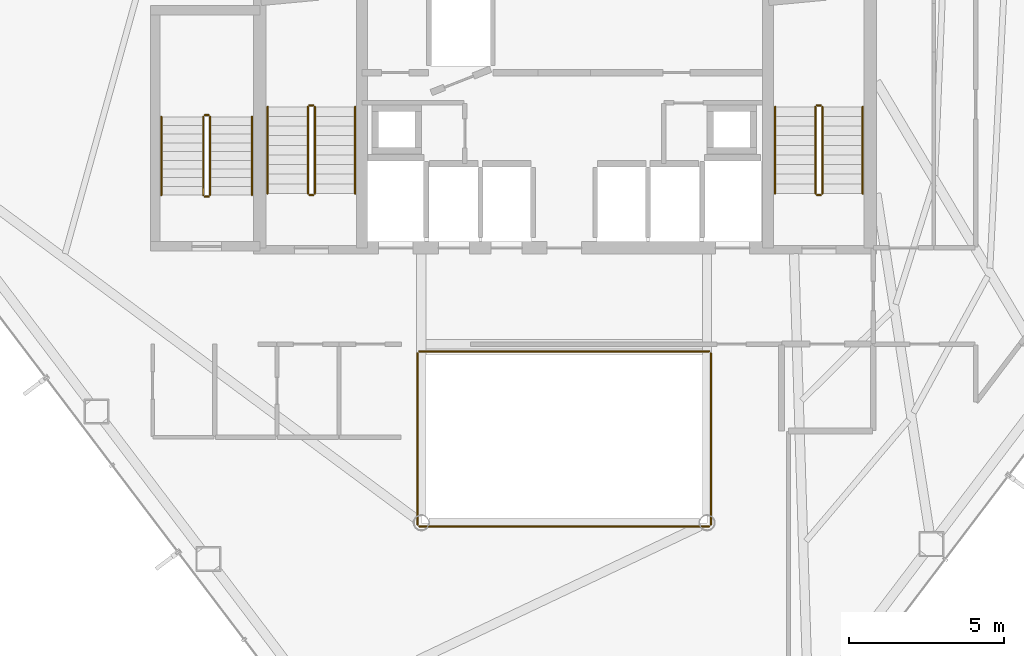
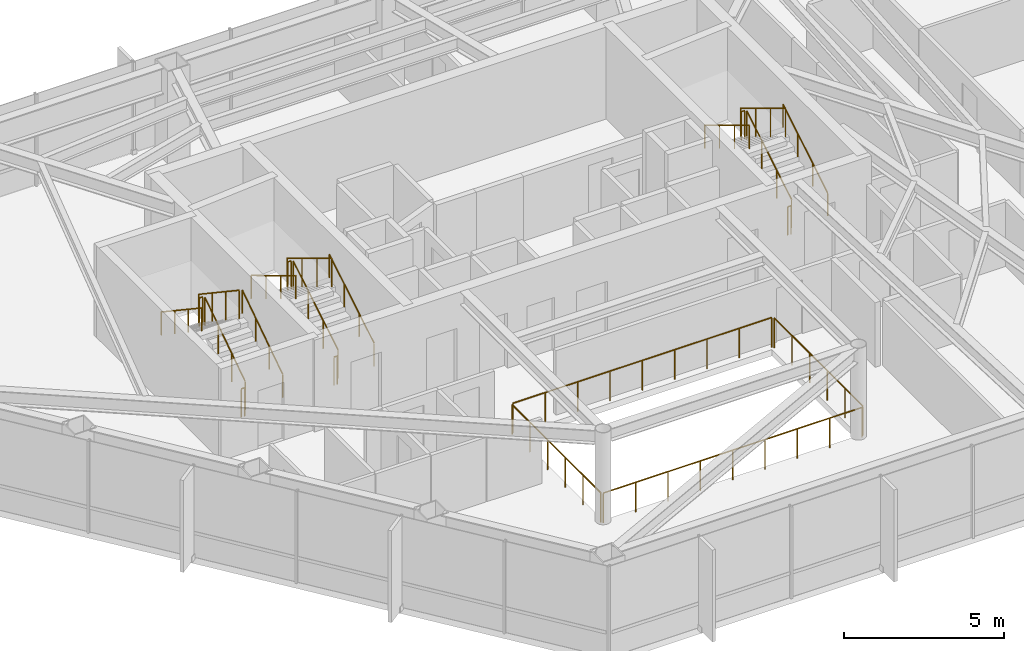
# One storey, part 28 of 28: 22 railings.
"""IFC4 building model written with IfcOpenShell, lengths in metres."""

from ifc_helpers import new_model, si_unit, direction, frame, origin, origin_2d, place, context, subcontext, project, spatial, circle, extrude, material, type_object, element, save


model = new_model("IFC4")

# Units and contexts
model_context = context("Model", 3, precision=1e-05, world=origin(), true_north=direction((0.0, 1.0)))
body_context = subcontext(model_context, "Body", "Model", "MODEL_VIEW")
ifc_project = project(units=[si_unit("LENGTHUNIT", "METRE"), si_unit("AREAUNIT", "SQUARE_METRE"), si_unit("VOLUMEUNIT", "CUBIC_METRE"), si_unit("PLANEANGLEUNIT", "RADIAN"), si_unit("MASSUNIT", "GRAM", prefix="KILO")], contexts=[model_context])

# Site, building, storey
site_placement = place(None, origin())
site = spatial("IfcSite", under=ifc_project, at=site_placement, CompositionType="ELEMENT")
building_placement = place(site_placement, origin())
building = spatial("IfcBuilding", under=site, at=building_placement, Name="Zarrinselat Tower", CompositionType="ELEMENT")
storey_placement = place(building_placement, frame((0.0, 0.0, 145.860107421875)))
storey = spatial("IfcBuildingStorey", under=building, at=storey_placement, Name="L35", CompositionType="ELEMENT", Elevation=145.860107421875)

# Railings
ifc_material_1 = material(Name="Double Low-E Laminated Solar Glass", Category="glass")
railing_type_1 = type_object("IfcRailingType", Name="RLG-ATRIUM-BAL", PredefinedType="BALUSTRADE", material=ifc_material_1)
railing_1_placement = place(storey_placement, frame((33.739990234375, 24.280029296875, 0.0)))
element("IfcRailing", 1, at=railing_1_placement, inside=storey, type_object=railing_type_1, Name="L35 Atrium Void Glass Balustrade S", PredefinedType="BALUSTRADE", context=body_context, shape_type="SweptSolid", body=[
    extrude(circle(Radius=0.02392578125, at=origin_2d()), frame((0.0, 0.0, 1.1259765625), z_axis=(1.0, 0.0, 0.0), x_axis=(0.0, 1.0, 0.0)), (0.0, 0.0, 1.0), 9.320068359375),
    extrude(circle(Radius=0.02099609375, at=origin_2d()), origin(), (0.0, 0.0, 1.0), 1.099853515625),
    extrude(circle(Radius=0.02099609375, at=origin_2d()), frame((1.1650390625, 0.0, 0.0)), (0.0, 0.0, 1.0), 1.099853515625),
    extrude(circle(Radius=0.02099609375, at=origin_2d()), frame((2.330078125, 0.0, 0.0)), (0.0, 0.0, 1.0), 1.099853515625),
    extrude(circle(Radius=0.02099609375, at=origin_2d()), frame((3.4951171875, 0.0, 0.0)), (0.0, 0.0, 1.0), 1.099853515625),
    extrude(circle(Radius=0.02099609375, at=origin_2d()), frame((4.66015625, 0.0, 0.0)), (0.0, 0.0, 1.0), 1.099853515625),
    extrude(circle(Radius=0.02099609375, at=origin_2d()), frame((5.824951171875, 0.0, 0.0)), (0.0, 0.0, 1.0), 1.099853515625),
    extrude(circle(Radius=0.02099609375, at=origin_2d()), frame((6.989990234375, 0.0, 0.0)), (0.0, 0.0, 1.0), 1.099853515625),
    extrude(circle(Radius=0.02099609375, at=origin_2d()), frame((8.155029296875, 0.0, 0.0)), (0.0, 0.0, 1.0), 1.099853515625),
    extrude(circle(Radius=0.02099609375, at=origin_2d()), frame((9.320068359375, 0.0, 0.0)), (0.0, 0.0, 1.0), 1.099853515625),
])
railing_2_placement = place(storey_placement, frame((43.1201171875, 24.340087890625, 0.0)))
element("IfcRailing", 2, at=railing_2_placement, inside=storey, type_object=railing_type_1, Name="L35 Atrium Void Glass Balustrade E", PredefinedType="BALUSTRADE", context=body_context, shape_type="SweptSolid", body=[
    extrude(circle(Radius=0.02392578125, at=origin_2d()), frame((0.0, 0.0, 1.1259765625), z_axis=(0.0, 1.0, 0.0), x_axis=(-1.0, 0.0, 0.0)), (0.0, 0.0, 1.0), 5.52001953125),
    extrude(circle(Radius=0.02099609375, at=origin_2d()), origin(), (0.0, 0.0, 1.0), 1.099853515625),
    extrude(circle(Radius=0.02099609375, at=origin_2d()), frame((0.0, 1.10400390625, 0.0)), (0.0, 0.0, 1.0), 1.099853515625),
    extrude(circle(Radius=0.02099609375, at=origin_2d()), frame((0.0, 2.2080078125, 0.0)), (0.0, 0.0, 1.0), 1.099853515625),
    extrude(circle(Radius=0.02099609375, at=origin_2d()), frame((0.0, 3.31201171875, 0.0)), (0.0, 0.0, 1.0), 1.099853515625),
    extrude(circle(Radius=0.02099609375, at=origin_2d()), frame((0.0, 4.416015625, 0.0)), (0.0, 0.0, 1.0), 1.099853515625),
    extrude(circle(Radius=0.02099609375, at=origin_2d()), frame((0.0, 5.52001953125, 0.0)), (0.0, 0.0, 1.0), 1.099853515625),
])
railing_3_placement = place(storey_placement, frame((43.06005859375, 29.919921875, 0.0)))
element("IfcRailing", 3, at=railing_3_placement, inside=storey, type_object=railing_type_1, Name="L35 Atrium Void Glass Balustrade N", PredefinedType="BALUSTRADE", context=body_context, shape_type="SweptSolid", body=[
    extrude(circle(Radius=0.02392578125, at=origin_2d()), frame((0.0, 0.0, 1.1259765625), z_axis=(-1.0, 0.0, 0.0), x_axis=(0.0, -1.0, 0.0)), (0.0, 0.0, 1.0), 9.320068359375),
    extrude(circle(Radius=0.02099609375, at=origin_2d()), origin(), (0.0, 0.0, 1.0), 1.099853515625),
    extrude(circle(Radius=0.02099609375, at=origin_2d()), frame((-1.1650390625, 0.0, 0.0)), (0.0, 0.0, 1.0), 1.099853515625),
    extrude(circle(Radius=0.02099609375, at=origin_2d()), frame((-2.330078125, 0.0, 0.0)), (0.0, 0.0, 1.0), 1.099853515625),
    extrude(circle(Radius=0.02099609375, at=origin_2d()), frame((-3.4951171875, 0.0, 0.0)), (0.0, 0.0, 1.0), 1.099853515625),
    extrude(circle(Radius=0.02099609375, at=origin_2d()), frame((-4.66015625, 0.0, 0.0)), (0.0, 0.0, 1.0), 1.099853515625),
    extrude(circle(Radius=0.02099609375, at=origin_2d()), frame((-5.824951171875, 0.0, 0.0)), (0.0, 0.0, 1.0), 1.099853515625),
    extrude(circle(Radius=0.02099609375, at=origin_2d()), frame((-6.989990234375, 0.0, 0.0)), (0.0, 0.0, 1.0), 1.099853515625),
    extrude(circle(Radius=0.02099609375, at=origin_2d()), frame((-8.155029296875, 0.0, 0.0)), (0.0, 0.0, 1.0), 1.099853515625),
    extrude(circle(Radius=0.02099609375, at=origin_2d()), frame((-9.320068359375, 0.0, 0.0)), (0.0, 0.0, 1.0), 1.099853515625),
])
railing_4_placement = place(storey_placement, frame((33.679931640625, 29.860107421875, 0.0)))
element("IfcRailing", 4, at=railing_4_placement, inside=storey, type_object=railing_type_1, Name="L35 Atrium Void Glass Balustrade W", PredefinedType="BALUSTRADE", context=body_context, shape_type="SweptSolid", body=[
    extrude(circle(Radius=0.02392578125, at=origin_2d()), frame((0.0, 0.0, 1.1259765625), z_axis=(0.0, -1.0, 0.0), x_axis=(1.0, 0.0, 0.0)), (0.0, 0.0, 1.0), 5.52001953125),
    extrude(circle(Radius=0.02099609375, at=origin_2d()), origin(), (0.0, 0.0, 1.0), 1.099853515625),
    extrude(circle(Radius=0.02099609375, at=origin_2d()), frame((0.0, -1.10400390625, 0.0)), (0.0, 0.0, 1.0), 1.099853515625),
    extrude(circle(Radius=0.02099609375, at=origin_2d()), frame((0.0, -2.2080078125, 0.0)), (0.0, 0.0, 1.0), 1.099853515625),
    extrude(circle(Radius=0.02099609375, at=origin_2d()), frame((0.0, -3.31201171875, 0.0)), (0.0, 0.0, 1.0), 1.099853515625),
    extrude(circle(Radius=0.02099609375, at=origin_2d()), frame((0.0, -4.416015625, 0.0)), (0.0, 0.0, 1.0), 1.099853515625),
    extrude(circle(Radius=0.02099609375, at=origin_2d()), frame((0.0, -5.52001953125, 0.0)), (0.0, 0.0, 1.0), 1.099853515625),
])
ifc_material_2 = material(Name="Steel S355J2", Category="steel")
railing_type_2 = type_object("IfcRailingType", Name="RLG-STAIR-GUARD", PredefinedType="GUARDRAIL", material=ifc_material_2)
railing_5_placement = place(storey_placement, frame((30.3701171875, 35.0, 0.18701171875)))
element("IfcRailing", 5, at=railing_5_placement, inside=storey, type_object=railing_type_2, Name="L35 ST-1 stair guard 1", PredefinedType="GUARDRAIL", context=body_context, shape_type="SweptSolid", body=[
    extrude(circle(Radius=0.02392578125, at=origin_2d()), frame((0.0, 0.0, 1.076171875), z_axis=(0.0, 0.856293938615, 0.516488809842), x_axis=(-1.0, 0.0, 0.0)), (0.0, 0.0, 1.0), 3.25830078125),
    extrude(circle(Radius=0.02099609375, at=origin_2d()), origin(), (0.0, 0.0, 1.0), 1.050048828125),
    extrude(circle(Radius=0.02099609375, at=origin_2d()), frame((0.0, 0.929931640625, 0.56103515625)), (0.0, 0.0, 1.0), 1.050048828125),
    extrude(circle(Radius=0.02099609375, at=origin_2d()), frame((0.0, 1.860107421875, 1.121826171875)), (0.0, 0.0, 1.0), 1.050048828125),
    extrude(circle(Radius=0.02099609375, at=origin_2d()), frame((0.0, 2.7900390625, 1.682861328125)), (0.0, 0.0, 1.0), 1.050048828125),
])
railing_6_placement = place(storey_placement, frame((30.320068359375, 37.840087890625, 1.869873046875)))
element("IfcRailing", 6, at=railing_6_placement, inside=storey, type_object=railing_type_2, Name="L35 ST-1 stair guard 2", PredefinedType="GUARDRAIL", context=body_context, shape_type="SweptSolid", body=[
    extrude(circle(Radius=0.02392578125, at=origin_2d()), frame((0.0, 0.0, 1.076171875), z_axis=(-1.0, 0.0, 0.0), x_axis=(0.0, -1.0, 0.0)), (0.0, 0.0, 1.0), 0.1201171875),
    extrude(circle(Radius=0.02099609375, at=origin_2d()), origin(), (0.0, 0.0, 1.0), 1.050048828125),
    extrude(circle(Radius=0.02099609375, at=origin_2d()), frame((-0.1201171875, 0.0, 0.0)), (0.0, 0.0, 1.0), 1.050048828125),
])
railing_7_placement = place(storey_placement, frame((30.14990234375, 37.7900390625, 2.056884765625)))
element("IfcRailing", 7, at=railing_7_placement, inside=storey, type_object=railing_type_2, Name="L35 ST-1 stair guard 3", PredefinedType="GUARDRAIL", context=body_context, shape_type="SweptSolid", body=[
    extrude(circle(Radius=0.02392578125, at=origin_2d()), frame((0.0, 0.0, 1.076171875), z_axis=(0.0, -0.856260799362, 0.516543747882), x_axis=(1.0, 0.0, 0.0)), (0.0, 0.0, 1.0), 3.25830078125),
    extrude(circle(Radius=0.02099609375, at=origin_2d()), origin(), (0.0, 0.0, 1.0), 1.050048828125),
    extrude(circle(Radius=0.02099609375, at=origin_2d()), frame((0.0, -0.929931640625, 0.56103515625)), (0.0, 0.0, 1.0), 1.050048828125),
    extrude(circle(Radius=0.02099609375, at=origin_2d()), frame((0.0, -1.860107421875, 1.1220703125)), (0.0, 0.0, 1.0), 1.050048828125),
    extrude(circle(Radius=0.02099609375, at=origin_2d()), frame((0.0, -2.7900390625, 1.68310546875)), (0.0, 0.0, 1.0), 1.050048828125),
])
railing_8_placement = place(storey_placement, frame((30.320068359375, 34.949951171875, 0.0)))
element("IfcRailing", 8, at=railing_8_placement, inside=storey, type_object=railing_type_2, Name="L35 ST-1 stair guard 4", PredefinedType="GUARDRAIL", context=body_context, shape_type="SweptSolid", body=[
    extrude(circle(Radius=0.02392578125, at=origin_2d()), frame((0.0, 0.0, 1.076171875), z_axis=(-1.0, 0.0, 0.0), x_axis=(0.0, -1.0, 0.0)), (0.0, 0.0, 1.0), 0.1201171875),
    extrude(circle(Radius=0.02099609375, at=origin_2d()), origin(), (0.0, 0.0, 1.0), 1.050048828125),
    extrude(circle(Radius=0.02099609375, at=origin_2d()), frame((-0.1201171875, 0.0, 0.0)), (0.0, 0.0, 1.0), 1.050048828125),
])
railing_9_placement = place(storey_placement, frame((46.7099609375, 35.0, 0.18701171875)))
element("IfcRailing", 9, at=railing_9_placement, inside=storey, type_object=railing_type_2, Name="L35 ST-2 stair guard 1", PredefinedType="GUARDRAIL", context=body_context, shape_type="SweptSolid", body=[
    extrude(circle(Radius=0.02392578125, at=origin_2d()), frame((0.0, 0.0, 1.076171875), z_axis=(0.0, 0.856293938615, 0.516488809842), x_axis=(-1.0, 0.0, 0.0)), (0.0, 0.0, 1.0), 3.25830078125),
    extrude(circle(Radius=0.02099609375, at=origin_2d()), origin(), (0.0, 0.0, 1.0), 1.050048828125),
    extrude(circle(Radius=0.02099609375, at=origin_2d()), frame((0.0, 0.929931640625, 0.56103515625)), (0.0, 0.0, 1.0), 1.050048828125),
    extrude(circle(Radius=0.02099609375, at=origin_2d()), frame((0.0, 1.860107421875, 1.121826171875)), (0.0, 0.0, 1.0), 1.050048828125),
    extrude(circle(Radius=0.02099609375, at=origin_2d()), frame((0.0, 2.7900390625, 1.682861328125)), (0.0, 0.0, 1.0), 1.050048828125),
])
railing_10_placement = place(storey_placement, frame((46.659912109375, 37.840087890625, 1.869873046875)))
element("IfcRailing", 10, at=railing_10_placement, inside=storey, type_object=railing_type_2, Name="L35 ST-2 stair guard 2", PredefinedType="GUARDRAIL", context=body_context, shape_type="SweptSolid", body=[
    extrude(circle(Radius=0.02392578125, at=origin_2d()), frame((0.0, 0.0, 1.076171875), z_axis=(-1.0, 0.0, 0.0), x_axis=(0.0, -1.0, 0.0)), (0.0, 0.0, 1.0), 0.119873046875),
    extrude(circle(Radius=0.02099609375, at=origin_2d()), origin(), (0.0, 0.0, 1.0), 1.050048828125),
    extrude(circle(Radius=0.02099609375, at=origin_2d()), frame((-0.119873046875, 0.0, 0.0)), (0.0, 0.0, 1.0), 1.050048828125),
])
railing_11_placement = place(storey_placement, frame((46.489990234375, 37.7900390625, 2.056884765625)))
element("IfcRailing", 11, at=railing_11_placement, inside=storey, type_object=railing_type_2, Name="L35 ST-2 stair guard 3", PredefinedType="GUARDRAIL", context=body_context, shape_type="SweptSolid", body=[
    extrude(circle(Radius=0.02392578125, at=origin_2d()), frame((0.0, 0.0, 1.076171875), z_axis=(0.0, -0.856260799362, 0.516543747882), x_axis=(1.0, 0.0, 0.0)), (0.0, 0.0, 1.0), 3.25830078125),
    extrude(circle(Radius=0.02099609375, at=origin_2d()), origin(), (0.0, 0.0, 1.0), 1.050048828125),
    extrude(circle(Radius=0.02099609375, at=origin_2d()), frame((0.0, -0.929931640625, 0.56103515625)), (0.0, 0.0, 1.0), 1.050048828125),
    extrude(circle(Radius=0.02099609375, at=origin_2d()), frame((0.0, -1.860107421875, 1.1220703125)), (0.0, 0.0, 1.0), 1.050048828125),
    extrude(circle(Radius=0.02099609375, at=origin_2d()), frame((0.0, -2.7900390625, 1.68310546875)), (0.0, 0.0, 1.0), 1.050048828125),
])
railing_12_placement = place(storey_placement, frame((46.659912109375, 34.949951171875, 0.0)))
element("IfcRailing", 12, at=railing_12_placement, inside=storey, type_object=railing_type_2, Name="L35 ST-2 stair guard 4", PredefinedType="GUARDRAIL", context=body_context, shape_type="SweptSolid", body=[
    extrude(circle(Radius=0.02392578125, at=origin_2d()), frame((0.0, 0.0, 1.076171875), z_axis=(-1.0, 0.0, 0.0), x_axis=(0.0, -1.0, 0.0)), (0.0, 0.0, 1.0), 0.119873046875),
    extrude(circle(Radius=0.02099609375, at=origin_2d()), origin(), (0.0, 0.0, 1.0), 1.050048828125),
    extrude(circle(Radius=0.02099609375, at=origin_2d()), frame((-0.119873046875, 0.0, 0.0)), (0.0, 0.0, 1.0), 1.050048828125),
])
railing_13_placement = place(storey_placement, frame((27.0, 34.949951171875, 0.18701171875)))
element("IfcRailing", 13, at=railing_13_placement, inside=storey, type_object=railing_type_2, Name="L35 ST-3 stair guard 1", PredefinedType="GUARDRAIL", context=body_context, shape_type="SweptSolid", body=[
    extrude(circle(Radius=0.02392578125, at=origin_2d()), frame((0.0, 0.0, 1.076171875), z_axis=(0.0, 0.831616215664, 0.555350762892), x_axis=(-1.0, 0.0, 0.0)), (0.0, 0.0, 1.0), 3.0302734375),
    extrude(circle(Radius=0.02099609375, at=origin_2d()), origin(), (0.0, 0.0, 1.0), 1.050048828125),
    extrude(circle(Radius=0.02099609375, at=origin_2d()), frame((0.0, 0.840087890625, 0.56103515625)), (0.0, 0.0, 1.0), 1.050048828125),
    extrude(circle(Radius=0.02099609375, at=origin_2d()), frame((0.0, 1.679931640625, 1.121826171875)), (0.0, 0.0, 1.0), 1.050048828125),
    extrude(circle(Radius=0.02099609375, at=origin_2d()), frame((0.0, 2.52001953125, 1.682861328125)), (0.0, 0.0, 1.0), 1.050048828125),
])
railing_14_placement = place(storey_placement, frame((26.949951171875, 37.52001953125, 1.869873046875)))
element("IfcRailing", 14, at=railing_14_placement, inside=storey, type_object=railing_type_2, Name="L35 ST-3 stair guard 2", PredefinedType="GUARDRAIL", context=body_context, shape_type="SweptSolid", body=[
    extrude(circle(Radius=0.02392578125, at=origin_2d()), frame((0.0, 0.0, 1.076171875), z_axis=(-1.0, 0.0, 0.0), x_axis=(0.0, -1.0, 0.0)), (0.0, 0.0, 1.0), 0.119873046875),
    extrude(circle(Radius=0.02099609375, at=origin_2d()), origin(), (0.0, 0.0, 1.0), 1.050048828125),
    extrude(circle(Radius=0.02099609375, at=origin_2d()), frame((-0.119873046875, 0.0, 0.0)), (0.0, 0.0, 1.0), 1.050048828125),
])
railing_15_placement = place(storey_placement, frame((26.780029296875, 37.469970703125, 2.056884765625)))
element("IfcRailing", 15, at=railing_15_placement, inside=storey, type_object=railing_type_2, Name="L35 ST-3 stair guard 3", PredefinedType="GUARDRAIL", context=body_context, shape_type="SweptSolid", body=[
    extrude(circle(Radius=0.02392578125, at=origin_2d()), frame((0.0, 0.0, 1.076171875), z_axis=(0.0, -0.831579006341, 0.555406478368), x_axis=(1.0, 0.0, 0.0)), (0.0, 0.0, 1.0), 3.030517578125),
    extrude(circle(Radius=0.02099609375, at=origin_2d()), origin(), (0.0, 0.0, 1.0), 1.050048828125),
    extrude(circle(Radius=0.02099609375, at=origin_2d()), frame((0.0, -0.840087890625, 0.56103515625)), (0.0, 0.0, 1.0), 1.050048828125),
    extrude(circle(Radius=0.02099609375, at=origin_2d()), frame((0.0, -1.679931640625, 1.1220703125)), (0.0, 0.0, 1.0), 1.050048828125),
    extrude(circle(Radius=0.02099609375, at=origin_2d()), frame((0.0, -2.52001953125, 1.68310546875)), (0.0, 0.0, 1.0), 1.050048828125),
])
railing_16_placement = place(storey_placement, frame((26.949951171875, 34.89990234375, 0.0)))
element("IfcRailing", 16, at=railing_16_placement, inside=storey, type_object=railing_type_2, Name="L35 ST-3 stair guard 4", PredefinedType="GUARDRAIL", context=body_context, shape_type="SweptSolid", body=[
    extrude(circle(Radius=0.02392578125, at=origin_2d()), frame((0.0, 0.0, 1.076171875), z_axis=(-1.0, 0.0, 0.0), x_axis=(0.0, -1.0, 0.0)), (0.0, 0.0, 1.0), 0.119873046875),
    extrude(circle(Radius=0.02099609375, at=origin_2d()), origin(), (0.0, 0.0, 1.0), 1.050048828125),
    extrude(circle(Radius=0.02099609375, at=origin_2d()), frame((-0.119873046875, 0.0, 0.0)), (0.0, 0.0, 1.0), 1.050048828125),
])
ifc_material_3 = material(Name="Steel S355J2", Category="steel")
railing_type_3 = type_object("IfcRailingType", Name="RLG-STAIR-HAND", PredefinedType="HANDRAIL", material=ifc_material_3)
railing_17_placement = place(storey_placement, frame((31.669921875, 35.0, 0.18701171875)))
element("IfcRailing", 17, at=railing_17_placement, inside=storey, type_object=railing_type_3, Name="L35 ST-1 stair handrail 1", PredefinedType="HANDRAIL", context=body_context, shape_type="SweptSolid", body=[
    extrude(circle(Radius=0.02392578125, at=origin_2d()), frame((0.0, 0.0, 0.8759765625), z_axis=(0.0, 0.856293938615, 0.516488809842), x_axis=(-1.0, 0.0, 0.0)), (0.0, 0.0, 1.0), 3.25830078125),
    extrude(circle(Radius=0.02099609375, at=origin_2d()), origin(), (0.0, 0.0, 1.0), 0.849853515625),
    extrude(circle(Radius=0.02099609375, at=origin_2d()), frame((0.0, 0.929931640625, 0.56103515625)), (0.0, 0.0, 1.0), 0.849853515625),
    extrude(circle(Radius=0.02099609375, at=origin_2d()), frame((0.0, 1.860107421875, 1.121826171875)), (0.0, 0.0, 1.0), 0.849853515625),
    extrude(circle(Radius=0.02099609375, at=origin_2d()), frame((0.0, 2.7900390625, 1.682861328125)), (0.0, 0.0, 1.0), 0.849853515625),
])
railing_18_placement = place(storey_placement, frame((28.85009765625, 37.7900390625, 2.056884765625)))
element("IfcRailing", 18, at=railing_18_placement, inside=storey, type_object=railing_type_3, Name="L35 ST-1 stair handrail 2", PredefinedType="HANDRAIL", context=body_context, shape_type="SweptSolid", body=[
    extrude(circle(Radius=0.02392578125, at=origin_2d()), frame((0.0, 0.0, 0.8759765625), z_axis=(0.0, -0.856260799362, 0.516543747882), x_axis=(1.0, 0.0, 0.0)), (0.0, 0.0, 1.0), 3.25830078125),
    extrude(circle(Radius=0.02099609375, at=origin_2d()), origin(), (0.0, 0.0, 1.0), 0.849853515625),
    extrude(circle(Radius=0.02099609375, at=origin_2d()), frame((0.0, -0.929931640625, 0.56103515625)), (0.0, 0.0, 1.0), 0.849853515625),
    extrude(circle(Radius=0.02099609375, at=origin_2d()), frame((0.0, -1.860107421875, 1.1220703125)), (0.0, 0.0, 1.0), 0.849853515625),
    extrude(circle(Radius=0.02099609375, at=origin_2d()), frame((0.0, -2.7900390625, 1.68310546875)), (0.0, 0.0, 1.0), 0.849853515625),
])
railing_19_placement = place(storey_placement, frame((48.010009765625, 35.0, 0.18701171875)))
element("IfcRailing", 19, at=railing_19_placement, inside=storey, type_object=railing_type_3, Name="L35 ST-2 stair handrail 1", PredefinedType="HANDRAIL", context=body_context, shape_type="SweptSolid", body=[
    extrude(circle(Radius=0.02392578125, at=origin_2d()), frame((0.0, 0.0, 0.8759765625), z_axis=(0.0, 0.856293938615, 0.516488809842), x_axis=(-1.0, 0.0, 0.0)), (0.0, 0.0, 1.0), 3.25830078125),
    extrude(circle(Radius=0.02099609375, at=origin_2d()), origin(), (0.0, 0.0, 1.0), 0.849853515625),
    extrude(circle(Radius=0.02099609375, at=origin_2d()), frame((0.0, 0.929931640625, 0.56103515625)), (0.0, 0.0, 1.0), 0.849853515625),
    extrude(circle(Radius=0.02099609375, at=origin_2d()), frame((0.0, 1.860107421875, 1.121826171875)), (0.0, 0.0, 1.0), 0.849853515625),
    extrude(circle(Radius=0.02099609375, at=origin_2d()), frame((0.0, 2.7900390625, 1.682861328125)), (0.0, 0.0, 1.0), 0.849853515625),
])
railing_20_placement = place(storey_placement, frame((45.18994140625, 37.7900390625, 2.056884765625)))
element("IfcRailing", 20, at=railing_20_placement, inside=storey, type_object=railing_type_3, Name="L35 ST-2 stair handrail 2", PredefinedType="HANDRAIL", context=body_context, shape_type="SweptSolid", body=[
    extrude(circle(Radius=0.02392578125, at=origin_2d()), frame((0.0, 0.0, 0.8759765625), z_axis=(0.0, -0.856260799362, 0.516543747882), x_axis=(1.0, 0.0, 0.0)), (0.0, 0.0, 1.0), 3.25830078125),
    extrude(circle(Radius=0.02099609375, at=origin_2d()), origin(), (0.0, 0.0, 1.0), 0.849853515625),
    extrude(circle(Radius=0.02099609375, at=origin_2d()), frame((0.0, -0.929931640625, 0.56103515625)), (0.0, 0.0, 1.0), 0.849853515625),
    extrude(circle(Radius=0.02099609375, at=origin_2d()), frame((0.0, -1.860107421875, 1.1220703125)), (0.0, 0.0, 1.0), 0.849853515625),
    extrude(circle(Radius=0.02099609375, at=origin_2d()), frame((0.0, -2.7900390625, 1.68310546875)), (0.0, 0.0, 1.0), 0.849853515625),
])
railing_21_placement = place(storey_placement, frame((28.35009765625, 34.949951171875, 0.18701171875)))
element("IfcRailing", 21, at=railing_21_placement, inside=storey, type_object=railing_type_3, Name="L35 ST-3 stair handrail 1", PredefinedType="HANDRAIL", context=body_context, shape_type="SweptSolid", body=[
    extrude(circle(Radius=0.02392578125, at=origin_2d()), frame((0.0, 0.0, 0.8759765625), z_axis=(0.0, 0.831616215664, 0.555350762892), x_axis=(-1.0, 0.0, 0.0)), (0.0, 0.0, 1.0), 3.0302734375),
    extrude(circle(Radius=0.02099609375, at=origin_2d()), origin(), (0.0, 0.0, 1.0), 0.849853515625),
    extrude(circle(Radius=0.02099609375, at=origin_2d()), frame((0.0, 0.840087890625, 0.56103515625)), (0.0, 0.0, 1.0), 0.849853515625),
    extrude(circle(Radius=0.02099609375, at=origin_2d()), frame((0.0, 1.679931640625, 1.121826171875)), (0.0, 0.0, 1.0), 0.849853515625),
    extrude(circle(Radius=0.02099609375, at=origin_2d()), frame((0.0, 2.52001953125, 1.682861328125)), (0.0, 0.0, 1.0), 0.849853515625),
])
railing_22_placement = place(storey_placement, frame((25.429931640625, 37.469970703125, 2.056884765625)))
element("IfcRailing", 22, at=railing_22_placement, inside=storey, type_object=railing_type_3, Name="L35 ST-3 stair handrail 2", PredefinedType="HANDRAIL", context=body_context, shape_type="SweptSolid", body=[
    extrude(circle(Radius=0.02392578125, at=origin_2d()), frame((0.0, 0.0, 0.8759765625), z_axis=(0.0, -0.831579006341, 0.555406478368), x_axis=(1.0, 0.0, 0.0)), (0.0, 0.0, 1.0), 3.030517578125),
    extrude(circle(Radius=0.02099609375, at=origin_2d()), origin(), (0.0, 0.0, 1.0), 0.849853515625),
    extrude(circle(Radius=0.02099609375, at=origin_2d()), frame((0.0, -0.840087890625, 0.56103515625)), (0.0, 0.0, 1.0), 0.849853515625),
    extrude(circle(Radius=0.02099609375, at=origin_2d()), frame((0.0, -1.679931640625, 1.1220703125)), (0.0, 0.0, 1.0), 0.849853515625),
    extrude(circle(Radius=0.02099609375, at=origin_2d()), frame((0.0, -2.52001953125, 1.68310546875)), (0.0, 0.0, 1.0), 0.849853515625),
])

save(model, "model.ifc")
